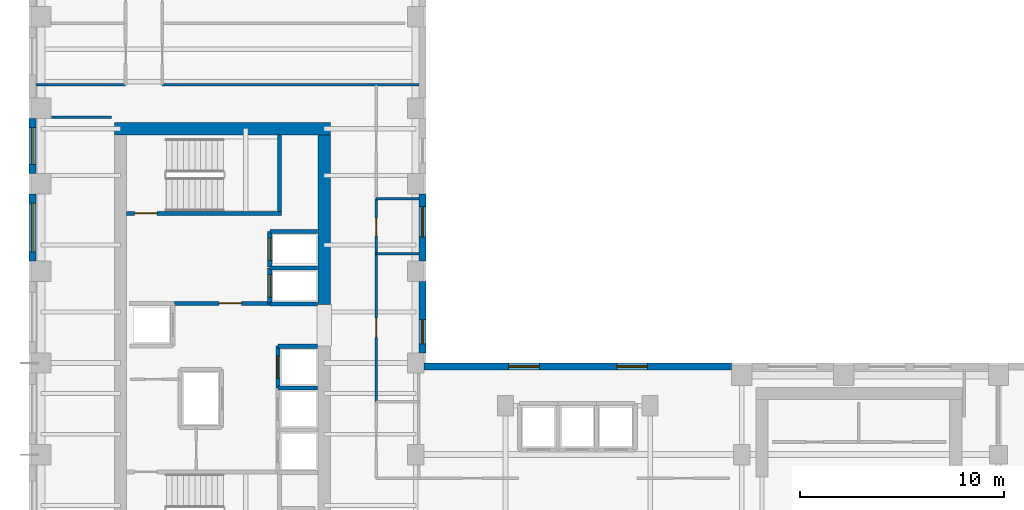
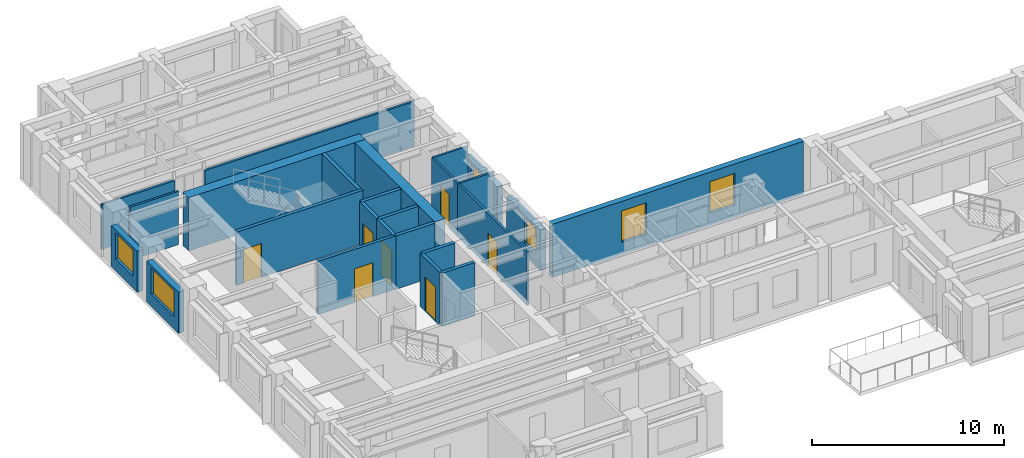
# One storey, part 5 of 11: 25 walls, 7 doors, 6 windows, 13 openings.
"""IFC4 building model written with IfcOpenShell, lengths in metres."""

from ifc_helpers import new_model, si_unit, direction, frame, frame_2d, origin, place, context, subcontext, project, spatial, rectangle, extrude, source, transform, mapped, material, layer, layer_set, type_object, element, fill, save


model = new_model("IFC4")

# Units and contexts
model_context = context("Model", 3, precision=1e-05, world=origin(), true_north=direction((0.0, 1.0)))
body_context = subcontext(model_context, "Body", "Model", "MODEL_VIEW")
ifc_project = project(units=[si_unit("LENGTHUNIT", "METRE"), si_unit("AREAUNIT", "SQUARE_METRE"), si_unit("VOLUMEUNIT", "CUBIC_METRE"), si_unit("PLANEANGLEUNIT", "RADIAN"), si_unit("MASSUNIT", "GRAM", prefix="KILO")], contexts=[model_context])

# Site, building, storey
site_placement = place(None, origin())
site = spatial("IfcSite", under=ifc_project, at=site_placement, CompositionType="ELEMENT")
building_placement = place(site_placement, origin())
building = spatial("IfcBuilding", under=site, at=building_placement, Name="Kharzan Plaza Tower", CompositionType="ELEMENT")
storey_placement = place(building_placement, frame((0.0, 0.0, 193.5)))
storey = spatial("IfcBuildingStorey", under=building, at=storey_placement, Name="L52", CompositionType="ELEMENT", Elevation=193.5)

# Wall, opening, window
ifc_material_1 = material(Name="Concrete C40/50", Category="concrete")
ifc_layer_1 = layer(ifc_material_1, 0.35009765625)
ifc_layer_set_1 = layer_set([ifc_layer_1], Name="Concrete C40/50")
wall_type_1 = type_object("IfcWallType", Name="WL-EXT-MAS-Z3", PredefinedType="SOLIDWALL", material=ifc_layer_set_1)
wall_1_placement = place(storey_placement, frame((0.175048828125, 30.001953125, 0.0), z_axis=(0.0, 0.0, 1.0), x_axis=(0.0, -1.0, 0.0)))
wall_1 = element("IfcWall", 1, at=wall_1_placement, inside=storey, type_object=wall_type_1, Name="L52 Masonry-Frame Exterior Wall 12", PredefinedType="SOLIDWALL", context=body_context, shape_type="SweptSolid", body=[
    extrude(rectangle(XDim=2.703857421875, YDim=0.35009765625, at=frame_2d((1.35205078125, 0.0))), origin(), (0.0, 0.0, 1.0), 2.612060546875),
])
opening_1_placement = place(wall_1_placement, frame((0.451904296875, 0.0, 0.780029296875)))
opening_1 = element("IfcOpeningElement", 2, at=opening_1_placement, cuts=wall_1, Name="Opening W1", PredefinedType="OPENING", context=body_context, shape_type="SweptSolid", body=[
    extrude(rectangle(XDim=1.800048828125, YDim=1.652099609375, at=frame_2d((0.89990234375, 0.826171875))), frame((0.0, 0.18505859375, 0.0), z_axis=(0.0, -1.0, 0.0), x_axis=(1.0, 0.0, 0.0)), (0.0, 0.0, 1.0), 0.3701171875),
])
ifc_material_2 = material(Name="Low-E Double Glazing", Category="glass")
window_type_1 = type_object("IfcWindowType", Name="WN-REC-1800x2100", PartitioningType="SINGLE_PANEL", PredefinedType="WINDOW", material=ifc_material_2)
shared_shape_1 = source(origin(), body_context, "Body", "SweptSolid", [
    extrude(rectangle(XDim=1.800048828125, YDim=1.652099609375, at=frame_2d((0.89990234375, 0.826171875))), frame((0.0, 0.030029296875, 0.0), z_axis=(0.0, -1.0, 0.0), x_axis=(1.0, 0.0, 0.0)), (0.0, 0.0, 1.0), 0.06005859375),
])
window_1_placement = place(opening_1_placement, origin())
window_1 = element("IfcWindow", 3, at=window_1_placement, inside=storey, type_object=window_type_1, Name="L52 Recessed Solar-Control Window 12-1", OverallHeight=1.652099609375, OverallWidth=1.800048828125, PartitioningType="SINGLE_PANEL", PredefinedType="WINDOW", context=body_context, shape_type="MappedRepresentation", body=[
    mapped(shared_shape_1, transform((0.0, 0.0, 0.0), x_axis=(1.0, 0.0, 0.0), y_axis=(0.0, 1.0, 0.0), z_axis=(0.0, 0.0, 1.0))),
])
fill(opening_1, window_1)

wall_2_placement = place(storey_placement, frame((0.175048828125, 26.302001953125, 0.0), z_axis=(0.0, 0.0, 1.0), x_axis=(0.0, -1.0, 0.0)))
wall_2 = element("IfcWall", 4, at=wall_2_placement, inside=storey, type_object=wall_type_1, Name="L52 Masonry-Frame Exterior Wall 13", PredefinedType="SOLIDWALL", context=body_context, shape_type="SweptSolid", body=[
    extrude(rectangle(XDim=3.303955078125, YDim=0.35009765625, at=frame_2d((1.65185546875, 0.0))), origin(), (0.0, 0.0, 1.0), 2.612060546875),
])
opening_2_placement = place(wall_2_placement, frame((0.451904296875, 0.0, 0.780029296875)))
opening_2 = element("IfcOpeningElement", 5, at=opening_2_placement, cuts=wall_2, Name="Opening W2", PredefinedType="OPENING", context=body_context, shape_type="SweptSolid", body=[
    extrude(rectangle(XDim=2.39990234375, YDim=1.652099609375, at=frame_2d((1.199951171875, 0.826171875))), frame((0.0, 0.18505859375, 0.0), z_axis=(0.0, -1.0, 0.0), x_axis=(1.0, 0.0, 0.0)), (0.0, 0.0, 1.0), 0.3701171875),
])
window_type_2 = type_object("IfcWindowType", Name="WN-REC-2400x2100", PartitioningType="SINGLE_PANEL", PredefinedType="WINDOW", material=ifc_material_2)
shared_shape_2 = source(origin(), body_context, "Body", "SweptSolid", [
    extrude(rectangle(XDim=2.39990234375, YDim=1.652099609375, at=frame_2d((1.199951171875, 0.826171875))), frame((0.0, 0.030029296875, 0.0), z_axis=(0.0, -1.0, 0.0), x_axis=(1.0, 0.0, 0.0)), (0.0, 0.0, 1.0), 0.06005859375),
])
window_2_placement = place(opening_2_placement, origin())
window_2 = element("IfcWindow", 6, at=window_2_placement, inside=storey, type_object=window_type_2, Name="L52 Wide Recessed Solar-Control Window 13-1", OverallHeight=1.652099609375, OverallWidth=2.39990234375, PartitioningType="SINGLE_PANEL", PredefinedType="WINDOW", context=body_context, shape_type="MappedRepresentation", body=[
    mapped(shared_shape_2, transform((0.0, 0.0, 0.0), x_axis=(1.0, 0.0, 0.0), y_axis=(0.0, 1.0, 0.0), z_axis=(0.0, 0.0, 1.0))),
])
fill(opening_2, window_2)

# Wall, openings, windows
wall_3_placement = place(storey_placement, frame((34.501953125, 17.824951171875, 0.0), z_axis=(0.0, 0.0, 1.0), x_axis=(-1.0, 0.0, 0.0)))
wall_3 = element("IfcWall", 7, at=wall_3_placement, inside=storey, type_object=wall_type_1, Name="L52 Masonry-Frame Exterior Wall 46", PredefinedType="SOLIDWALL", context=body_context, shape_type="SweptSolid", body=[
    extrude(rectangle(XDim=15.10400390625, YDim=0.35009765625, at=frame_2d((7.552001953125, 0.0))), origin(), (0.0, 0.0, 1.0), 3.385009765625),
])
opening_3_placement = place(wall_3_placement, frame((4.131103515625, 0.0, 0.780029296875)))
opening_3 = element("IfcOpeningElement", 8, at=opening_3_placement, cuts=wall_3, Name="Opening W5", PredefinedType="OPENING", context=body_context, shape_type="SweptSolid", body=[
    extrude(rectangle(XDim=1.5, YDim=2.0, at=frame_2d((0.75, 1.0))), frame((0.0, 0.18505859375, 0.0), z_axis=(0.0, -1.0, 0.0), x_axis=(1.0, 0.0, 0.0)), (0.0, 0.0, 1.0), 0.3701171875),
])
opening_4_placement = place(wall_3_placement, frame((9.4423828125, 0.0, 0.780029296875)))
opening_4 = element("IfcOpeningElement", 9, at=opening_4_placement, cuts=wall_3, Name="Opening W5", PredefinedType="OPENING", context=body_context, shape_type="SweptSolid", body=[
    extrude(rectangle(XDim=1.5, YDim=2.0, at=frame_2d((0.75, 1.0))), frame((0.0, 0.18505859375, 0.0), z_axis=(0.0, -1.0, 0.0), x_axis=(1.0, 0.0, 0.0)), (0.0, 0.0, 1.0), 0.3701171875),
])
window_type_3 = type_object("IfcWindowType", Name="WN-SLT-1500x2000", PartitioningType="SINGLE_PANEL", PredefinedType="WINDOW", material=ifc_material_2)
shared_shape_3 = source(origin(), body_context, "Body", "SweptSolid", [
    extrude(rectangle(XDim=1.5, YDim=2.0, at=frame_2d((0.75, 1.0))), frame((0.0, 0.030029296875, 0.0), z_axis=(0.0, -1.0, 0.0), x_axis=(1.0, 0.0, 0.0)), (0.0, 0.0, 1.0), 0.06005859375),
])
window_3_placement = place(opening_3_placement, origin())
window_3 = element("IfcWindow", 10, at=window_3_placement, inside=storey, type_object=window_type_3, Name="L52 Recessed Solar-Control Window 46-1", OverallHeight=2.0, OverallWidth=1.5, PartitioningType="SINGLE_PANEL", PredefinedType="WINDOW", context=body_context, shape_type="MappedRepresentation", body=[
    mapped(shared_shape_3, transform((0.0, 0.0, 0.0), x_axis=(1.0, 0.0, 0.0), y_axis=(0.0, 1.0, 0.0), z_axis=(0.0, 0.0, 1.0))),
])
fill(opening_3, window_3)
window_4_placement = place(opening_4_placement, origin())
window_4 = element("IfcWindow", 11, at=window_4_placement, inside=storey, type_object=window_type_3, Name="L52 Recessed Solar-Control Window 46-2", OverallHeight=2.0, OverallWidth=1.5, PartitioningType="SINGLE_PANEL", PredefinedType="WINDOW", context=body_context, shape_type="MappedRepresentation", body=[
    mapped(shared_shape_3, transform((0.0, 0.0, 0.0), x_axis=(1.0, 0.0, 0.0), y_axis=(0.0, 1.0, 0.0), z_axis=(0.0, 0.0, 1.0))),
])
fill(opening_4, window_4)

# Wall, opening, window
wall_4_placement = place(storey_placement, frame((19.324951171875, 18.498046875, 0.0), z_axis=(0.0, 0.0, 1.0), x_axis=(0.0, 1.0, 0.0)))
wall_4 = element("IfcWall", 12, at=wall_4_placement, inside=storey, type_object=wall_type_1, Name="L52 Masonry-Frame Exterior Wall 47", PredefinedType="SOLIDWALL", context=body_context, shape_type="SweptSolid", body=[
    extrude(rectangle(XDim=3.50390625, YDim=0.35009765625, at=frame_2d((1.751953125, 0.0))), origin(), (0.0, 0.0, 1.0), 2.612060546875),
])
opening_5_placement = place(wall_4_placement, frame((0.4326171875, 0.0, 0.780029296875)))
opening_5 = element("IfcOpeningElement", 13, at=opening_5_placement, cuts=wall_4, Name="Opening W3", PredefinedType="OPENING", context=body_context, shape_type="SweptSolid", body=[
    extrude(rectangle(XDim=1.199951171875, YDim=1.652099609375, at=frame_2d((0.60009765625, 0.826171875))), frame((0.0, 0.18505859375, 0.0), z_axis=(0.0, -1.0, 0.0), x_axis=(1.0, 0.0, 0.0)), (0.0, 0.0, 1.0), 0.3701171875),
])
window_type_4 = type_object("IfcWindowType", Name="WN-REC-1200x2100", PartitioningType="SINGLE_PANEL", PredefinedType="WINDOW", material=ifc_material_2)
shared_shape_4 = source(origin(), body_context, "Body", "SweptSolid", [
    extrude(rectangle(XDim=1.199951171875, YDim=1.652099609375, at=frame_2d((0.60009765625, 0.826171875))), frame((0.0, 0.030029296875, 0.0), z_axis=(0.0, -1.0, 0.0), x_axis=(1.0, 0.0, 0.0)), (0.0, 0.0, 1.0), 0.06005859375),
])
window_5_placement = place(opening_5_placement, origin())
window_5 = element("IfcWindow", 14, at=window_5_placement, inside=storey, type_object=window_type_4, Name="L52 Recessed Solar-Control Window 47-1", OverallHeight=1.652099609375, OverallWidth=1.199951171875, PartitioningType="SINGLE_PANEL", PredefinedType="WINDOW", context=body_context, shape_type="MappedRepresentation", body=[
    mapped(shared_shape_4, transform((0.0, 0.0, 0.0), x_axis=(1.0, 0.0, 0.0), y_axis=(0.0, 1.0, 0.0), z_axis=(0.0, 0.0, 1.0))),
])
fill(opening_5, window_5)

wall_5_placement = place(storey_placement, frame((19.324951171875, 22.998046875, 0.0), z_axis=(0.0, 0.0, 1.0), x_axis=(0.0, 1.0, 0.0)))
wall_5 = element("IfcWall", 15, at=wall_5_placement, inside=storey, type_object=wall_type_1, Name="L52 Masonry-Frame Exterior Wall 48", PredefinedType="SOLIDWALL", context=body_context, shape_type="SweptSolid", body=[
    extrude(rectangle(XDim=3.303955078125, YDim=0.35009765625, at=frame_2d((1.65185546875, 0.0))), origin(), (0.0, 0.0, 1.0), 2.612060546875),
])
opening_6_placement = place(wall_5_placement, frame((1.180419921875, 0.0, 0.780029296875)))
opening_6 = element("IfcOpeningElement", 16, at=opening_6_placement, cuts=wall_5, Name="Opening W5", PredefinedType="OPENING", context=body_context, shape_type="SweptSolid", body=[
    extrude(rectangle(XDim=1.5, YDim=1.652099609375, at=frame_2d((0.75, 0.826171875))), frame((0.0, 0.18505859375, 0.0), z_axis=(0.0, -1.0, 0.0), x_axis=(1.0, 0.0, 0.0)), (0.0, 0.0, 1.0), 0.3701171875),
])
shared_shape_5 = source(origin(), body_context, "Body", "SweptSolid", [
    extrude(rectangle(XDim=1.5, YDim=1.652099609375, at=frame_2d((0.75, 0.826171875))), frame((0.0, 0.030029296875, 0.0), z_axis=(0.0, -1.0, 0.0), x_axis=(1.0, 0.0, 0.0)), (0.0, 0.0, 1.0), 0.06005859375),
])
window_6_placement = place(opening_6_placement, origin())
window_6 = element("IfcWindow", 17, at=window_6_placement, inside=storey, type_object=window_type_3, Name="L52 Recessed Solar-Control Window 48-1", OverallHeight=1.652099609375, OverallWidth=1.5, PartitioningType="SINGLE_PANEL", PredefinedType="WINDOW", context=body_context, shape_type="MappedRepresentation", body=[
    mapped(shared_shape_5, transform((0.0, 0.0, 0.0), x_axis=(1.0, 0.0, 0.0), y_axis=(0.0, 1.0, 0.0), z_axis=(0.0, 0.0, 1.0))),
])
fill(opening_6, window_6)

# Wall, opening, door
ifc_layer_2 = layer(ifc_material_1, 0.179931640625)
ifc_layer_set_2 = layer_set([ifc_layer_2], Name="Concrete C40/50")
wall_type_2 = type_object("IfcWallType", Name="WL-INT-FIRE-180", PredefinedType="PARTITIONING", material=ifc_layer_set_2)
wall_6_placement = place(storey_placement, frame((7.14990234375, 20.919921875, 0.0), z_axis=(0.0, 0.0, 1.0), x_axis=(1.0, 0.0, 0.0)))
wall_6 = element("IfcWall", 18, at=wall_6_placement, inside=storey, type_object=wall_type_2, Name="L52 Interior Partition CA-FF-S", PredefinedType="PARTITIONING", context=body_context, shape_type="SweptSolid", body=[
    extrude(rectangle(XDim=4.68017578125, YDim=0.179931640625, at=frame_2d((2.340087890625, 0.0))), origin(), (0.0, 0.0, 1.0), 3.385009765625),
])
opening_7_placement = place(wall_6_placement, frame((2.199951171875, 0.0, 0.0)))
opening_7 = element("IfcOpeningElement", 19, at=opening_7_placement, cuts=wall_6, Name="Opening FD1", PredefinedType="OPENING", context=body_context, shape_type="SweptSolid", body=[
    extrude(rectangle(XDim=1.10009765625, YDim=2.14990234375, at=frame_2d((0.550048828125, 1.074951171875))), frame((0.0, 0.099853515625, 0.0), z_axis=(0.0, -1.0, 0.0), x_axis=(1.0, 0.0, 0.0)), (0.0, 0.0, 1.0), 0.199951171875),
])
ifc_material_3 = material(Name="Fire-Rated Acoustic Vision-Panel Steel", Category="steel")
door_type_1 = type_object("IfcDoorType", Name="DR-FIRE-LOBBY", OperationType="NOTDEFINED", PredefinedType="DOOR", material=ifc_material_3)
shared_shape_6 = source(origin(), body_context, "Body", "SweptSolid", [
    extrude(rectangle(XDim=1.10009765625, YDim=2.14990234375, at=frame_2d((0.550048828125, 1.074951171875))), frame((0.0, 0.02490234375, 0.0), z_axis=(0.0, -1.0, 0.0), x_axis=(1.0, 0.0, 0.0)), (0.0, 0.0, 1.0), 0.050048828125),
])
door_1_placement = place(opening_7_placement, origin())
door_1 = element("IfcDoor", 20, at=door_1_placement, inside=storey, type_object=door_type_1, Name="L52 Firefighting Lobby Door", OperationType="SINGLE_SWING_RIGHT", OverallHeight=2.14990234375, OverallWidth=1.10009765625, PredefinedType="DOOR", context=body_context, shape_type="MappedRepresentation", body=[
    mapped(shared_shape_6, transform((0.0, 0.0, 0.0), x_axis=(1.0, 0.0, 0.0), y_axis=(0.0, 1.0, 0.0), z_axis=(0.0, 0.0, 1.0))),
])
fill(opening_7, door_1)

ifc_material_4 = material(Name="Fire-Rated Gypsum Board Partition", Category="gypsum")
ifc_layer_3 = layer(ifc_material_4, 0.125)
ifc_layer_set_3 = layer_set([ifc_layer_3], Name="Fire-Rated Gypsum Board Partition")
wall_type_3 = type_object("IfcWallType", Name="WL-INT-PART-125", PredefinedType="PARTITIONING", material=ifc_layer_set_3)
wall_7_placement = place(storey_placement, frame((17.050048828125, 16.10009765625, 0.0), z_axis=(0.0, 0.0, 1.0), x_axis=(0.0, 1.0, 0.0)))
wall_7 = element("IfcWall", 21, at=wall_7_placement, inside=storey, type_object=wall_type_3, Name="L52 Interior Partition SH-AEWN2", PredefinedType="PARTITIONING", context=body_context, shape_type="SweptSolid", body=[
    extrude(rectangle(XDim=7.25, YDim=0.125, at=frame_2d((3.625, 0.0))), origin(), (0.0, 0.0, 1.0), 3.385009765625),
])
opening_8_placement = place(wall_7_placement, frame((3.14990234375, 0.0, 0.0)))
opening_8 = element("IfcOpeningElement", 22, at=opening_8_placement, cuts=wall_7, Name="Opening OD1", PredefinedType="OPENING", context=body_context, shape_type="SweptSolid", body=[
    extrude(rectangle(XDim=0.949951171875, YDim=2.14990234375, at=frame_2d((0.47509765625, 1.074951171875))), frame((0.0, 0.072509765625, 0.0), z_axis=(0.0, -1.0, 0.0), x_axis=(1.0, 0.0, 0.0)), (0.0, 0.0, 1.0), 0.14501953125),
])
ifc_material_5 = material(Name="Acoustic Solid-Core Stained Oak", Category="timber")
door_type_2 = type_object("IfcDoorType", Name="DR-OFF-SINGLE", OperationType="NOTDEFINED", PredefinedType="DOOR", material=ifc_material_5)
shared_shape_7 = source(origin(), body_context, "Body", "SweptSolid", [
    extrude(rectangle(XDim=0.949951171875, YDim=2.14990234375, at=frame_2d((0.47509765625, 1.074951171875))), frame((0.0, 0.02490234375, 0.0), z_axis=(0.0, -1.0, 0.0), x_axis=(1.0, 0.0, 0.0)), (0.0, 0.0, 1.0), 0.050048828125),
])
door_2_placement = place(opening_8_placement, origin())
door_2 = element("IfcDoor", 23, at=door_2_placement, inside=storey, type_object=door_type_2, Name="L52 Slot Studio Door", OperationType="SINGLE_SWING_LEFT", OverallHeight=2.14990234375, OverallWidth=0.949951171875, PredefinedType="DOOR", context=body_context, shape_type="MappedRepresentation", body=[
    mapped(shared_shape_7, transform((0.0, 0.0, 0.0), x_axis=(1.0, 0.0, 0.0), y_axis=(0.0, 1.0, 0.0), z_axis=(0.0, 0.0, 1.0))),
])
fill(opening_8, door_2)

wall_8_placement = place(storey_placement, frame((17.050048828125, 23.35009765625, 0.0), z_axis=(0.0, 0.0, 1.0), x_axis=(0.0, 1.0, 0.0)))
wall_8 = element("IfcWall", 24, at=wall_8_placement, inside=storey, type_object=wall_type_3, Name="L52 Interior Partition SH-AEWW", PredefinedType="PARTITIONING", context=body_context, shape_type="SweptSolid", body=[
    extrude(rectangle(XDim=2.699951171875, YDim=0.125, at=frame_2d((1.35009765625, 0.0))), origin(), (0.0, 0.0, 1.0), 3.385009765625),
])
opening_9_placement = place(wall_8_placement, frame((0.875, 0.0, 0.0)))
opening_9 = element("IfcOpeningElement", 25, at=opening_9_placement, cuts=wall_8, Name="Opening WD1", PredefinedType="OPENING", context=body_context, shape_type="SweptSolid", body=[
    extrude(rectangle(XDim=0.89990234375, YDim=2.14990234375, at=frame_2d((0.449951171875, 1.074951171875))), frame((0.0, 0.072509765625, 0.0), z_axis=(0.0, -1.0, 0.0), x_axis=(1.0, 0.0, 0.0)), (0.0, 0.0, 1.0), 0.14501953125),
])
ifc_material_6 = material(Name="Moisture-Resistant Fire-Rated Laminate", Category="timber")
door_type_3 = type_object("IfcDoorType", Name="DR-WC-900", OperationType="NOTDEFINED", PredefinedType="DOOR", material=ifc_material_6)
shared_shape_8 = source(origin(), body_context, "Body", "SweptSolid", [
    extrude(rectangle(XDim=0.89990234375, YDim=2.14990234375, at=frame_2d((0.449951171875, 1.074951171875))), frame((0.0, 0.02490234375, 0.0), z_axis=(0.0, -1.0, 0.0), x_axis=(1.0, 0.0, 0.0)), (0.0, 0.0, 1.0), 0.050048828125),
])
door_3_placement = place(opening_9_placement, origin())
door_3 = element("IfcDoor", 26, at=door_3_placement, inside=storey, type_object=door_type_3, Name="L52 Wing A Washroom Door", OperationType="SINGLE_SWING_RIGHT", OverallHeight=2.14990234375, OverallWidth=0.89990234375, PredefinedType="DOOR", context=body_context, shape_type="MappedRepresentation", body=[
    mapped(shared_shape_8, transform((0.0, 0.0, 0.0), x_axis=(1.0, 0.0, 0.0), y_axis=(0.0, 1.0, 0.0), z_axis=(0.0, 0.0, 1.0))),
])
fill(opening_9, door_3)

ifc_layer_4 = layer(ifc_material_1, 0.199951171875)
ifc_layer_set_4 = layer_set([ifc_layer_4], Name="Concrete C40/50")
wall_type_4 = type_object("IfcWallType", Name="WL-INT-SHAFT-200", PredefinedType="PARTITIONING", material=ifc_layer_set_4)
wall_9_placement = place(storey_placement, frame((11.830078125, 20.89990234375, 0.0), z_axis=(0.0, 0.0, 1.0), x_axis=(0.0, 1.0, 0.0)))
wall_9 = element("IfcWall", 27, at=wall_9_placement, inside=storey, type_object=wall_type_4, Name="L52 Interior Partition SHF-FFL-1-W", PredefinedType="PARTITIONING", context=body_context, shape_type="SweptSolid", body=[
    extrude(rectangle(XDim=1.760009765625, YDim=0.199951171875, at=frame_2d((0.8798828125, 0.0))), origin(), (0.0, 0.0, 1.0), 3.385009765625),
])
opening_10_placement = place(wall_9_placement, frame((0.330078125, 0.0, 0.0)))
opening_10 = element("IfcOpeningElement", 28, at=opening_10_placement, cuts=wall_9, Name="Opening LD", PredefinedType="OPENING", context=body_context, shape_type="SweptSolid", body=[
    extrude(rectangle(XDim=1.10009765625, YDim=2.199951171875, at=frame_2d((0.550048828125, 1.10009765625))), frame((0.0, 0.10986328125, 0.0), z_axis=(0.0, -1.0, 0.0), x_axis=(1.0, 0.0, 0.0)), (0.0, 0.0, 1.0), 0.219970703125),
])
ifc_material_7 = material(Name="Brushed Stainless Steel", Category="steel")
door_type_4 = type_object("IfcDoorType", Name="DR-LIFT-SLIDE", OperationType="SLIDING_TO_LEFT", PredefinedType="DOOR", material=ifc_material_7)
shared_shape_9 = source(origin(), body_context, "Body", "SweptSolid", [
    extrude(rectangle(XDim=1.10009765625, YDim=2.199951171875, at=frame_2d((0.550048828125, 1.10009765625))), frame((0.0, 0.02490234375, 0.0), z_axis=(0.0, -1.0, 0.0), x_axis=(1.0, 0.0, 0.0)), (0.0, 0.0, 1.0), 0.050048828125),
])
door_4_placement = place(opening_10_placement, origin())
door_4 = element("IfcDoor", 29, at=door_4_placement, inside=storey, type_object=door_type_4, Name="L52 Firefighting Lift FFL-1 Sliding Landing Door", OperationType="SLIDING_TO_LEFT", OverallHeight=2.199951171875, OverallWidth=1.10009765625, PredefinedType="DOOR", context=body_context, shape_type="MappedRepresentation", body=[
    mapped(shared_shape_9, transform((0.0, 0.0, 0.0), x_axis=(1.0, 0.0, 0.0), y_axis=(0.0, 1.0, 0.0), z_axis=(0.0, 0.0, 1.0))),
])
fill(opening_10, door_4)

wall_10_placement = place(storey_placement, frame((11.830078125, 22.699951171875, 0.0), z_axis=(0.0, 0.0, 1.0), x_axis=(0.0, 1.0, 0.0)))
wall_10 = element("IfcWall", 30, at=wall_10_placement, inside=storey, type_object=wall_type_4, Name="L52 Interior Partition SHF-FFL-2-W", PredefinedType="PARTITIONING", context=body_context, shape_type="SweptSolid", body=[
    extrude(rectangle(XDim=1.760009765625, YDim=0.199951171875, at=frame_2d((0.8798828125, 0.0))), origin(), (0.0, 0.0, 1.0), 3.385009765625),
])
opening_11_placement = place(wall_10_placement, frame((0.330078125, 0.0, 0.0)))
opening_11 = element("IfcOpeningElement", 31, at=opening_11_placement, cuts=wall_10, Name="Opening LD", PredefinedType="OPENING", context=body_context, shape_type="SweptSolid", body=[
    extrude(rectangle(XDim=1.10009765625, YDim=2.199951171875, at=frame_2d((0.550048828125, 1.10009765625))), frame((0.0, 0.10986328125, 0.0), z_axis=(0.0, -1.0, 0.0), x_axis=(1.0, 0.0, 0.0)), (0.0, 0.0, 1.0), 0.219970703125),
])
door_5_placement = place(opening_11_placement, origin())
door_5 = element("IfcDoor", 32, at=door_5_placement, inside=storey, type_object=door_type_4, Name="L52 Firefighting Lift FFL-2 Sliding Landing Door", OperationType="SLIDING_TO_LEFT", OverallHeight=2.199951171875, OverallWidth=1.10009765625, PredefinedType="DOOR", context=body_context, shape_type="MappedRepresentation", body=[
    mapped(shared_shape_9, transform((0.0, 0.0, 0.0), x_axis=(1.0, 0.0, 0.0), y_axis=(0.0, 1.0, 0.0), z_axis=(0.0, 0.0, 1.0))),
])
fill(opening_11, door_5)

wall_11_placement = place(storey_placement, frame((12.22998046875, 16.77001953125, 0.0), z_axis=(0.0, 0.0, 1.0), x_axis=(0.0, 1.0, 0.0)))
wall_11 = element("IfcWall", 33, at=wall_11_placement, inside=storey, type_object=wall_type_4, Name="L52 Interior Partition SHF-PL-H3-W", PredefinedType="PARTITIONING", context=body_context, shape_type="SweptSolid", body=[
    extrude(rectangle(XDim=2.050048828125, YDim=0.199951171875, at=frame_2d((1.02490234375, 0.0))), origin(), (0.0, 0.0, 1.0), 3.385009765625),
])
opening_12_placement = place(wall_11_placement, frame((0.47509765625, 0.0, 0.0)))
opening_12 = element("IfcOpeningElement", 34, at=opening_12_placement, cuts=wall_11, Name="Opening LD", PredefinedType="OPENING", context=body_context, shape_type="SweptSolid", body=[
    extrude(rectangle(XDim=1.10009765625, YDim=2.199951171875, at=frame_2d((0.550048828125, 1.10009765625))), frame((0.0, 0.10986328125, 0.0), z_axis=(0.0, -1.0, 0.0), x_axis=(1.0, 0.0, 0.0)), (0.0, 0.0, 1.0), 0.219970703125),
])
door_6_placement = place(opening_12_placement, origin())
door_6 = element("IfcDoor", 35, at=door_6_placement, inside=storey, type_object=door_type_4, Name="L52 High-Rise Passenger Lift PL-H3 Sliding Landing Door", OperationType="SLIDING_TO_LEFT", OverallHeight=2.199951171875, OverallWidth=1.10009765625, PredefinedType="DOOR", context=body_context, shape_type="MappedRepresentation", body=[
    mapped(shared_shape_9, transform((0.0, 0.0, 0.0), x_axis=(1.0, 0.0, 0.0), y_axis=(0.0, 1.0, 0.0), z_axis=(0.0, 0.0, 1.0))),
])
fill(opening_12, door_6)

ifc_material_8 = material(Name="Concrete C50/60", Category="concrete")
ifc_layer_5 = layer(ifc_material_8, 0.199951171875)
ifc_layer_set_5 = layer_set([ifc_layer_5], Name="Concrete C50/60")
wall_type_5 = type_object("IfcWallType", Name="WL-SHAFT-RC200", PredefinedType="SHEAR", material=ifc_layer_set_5)
wall_12_placement = place(storey_placement, frame((4.802001953125, 25.344970703125, 0.0), z_axis=(0.0, 0.0, 1.0), x_axis=(1.0, 0.0, 0.0)))
wall_12 = element("IfcWall", 36, at=wall_12_placement, inside=storey, type_object=wall_type_5, Name="L52 Stair ST-2 South RC Shaft Wall", PredefinedType="SHEAR", context=body_context, shape_type="SweptSolid", body=[
    extrude(rectangle(XDim=7.60302734375, YDim=0.199951171875, at=frame_2d((3.801513671875, 0.0))), origin(), (0.0, 0.0, 1.0), 3.39990234375),
])
opening_13_placement = place(wall_12_placement, frame((0.39990234375, 0.0, 0.0)))
opening_13 = element("IfcOpeningElement", 37, at=opening_13_placement, cuts=wall_12, Name="Opening SD1", PredefinedType="OPENING", context=body_context, shape_type="SweptSolid", body=[
    extrude(rectangle(XDim=1.10009765625, YDim=2.14990234375, at=frame_2d((0.550048828125, 1.074951171875))), frame((0.0, 0.10986328125, 0.0), z_axis=(0.0, -1.0, 0.0), x_axis=(1.0, 0.0, 0.0)), (0.0, 0.0, 1.0), 0.219970703125),
])
ifc_material_9 = material(Name="Fire-Rated Hollow Galvanized Steel", Category="steel")
door_type_5 = type_object("IfcDoorType", Name="DR-STAIR-FD120", OperationType="NOTDEFINED", PredefinedType="DOOR", material=ifc_material_9)
shared_shape_10 = source(origin(), body_context, "Body", "SweptSolid", [
    extrude(rectangle(XDim=1.10009765625, YDim=2.14990234375, at=frame_2d((0.550048828125, 1.074951171875))), frame((0.0, 0.02490234375, 0.0), z_axis=(0.0, -1.0, 0.0), x_axis=(1.0, 0.0, 0.0)), (0.0, 0.0, 1.0), 0.050048828125),
])
door_7_placement = place(opening_13_placement, origin())
door_7 = element("IfcDoor", 38, at=door_7_placement, inside=storey, type_object=door_type_5, Name="L52 Stair ST-2 Fire Exit Door", OperationType="SINGLE_SWING_LEFT", OverallHeight=2.14990234375, OverallWidth=1.10009765625, PredefinedType="DOOR", context=body_context, shape_type="MappedRepresentation", body=[
    mapped(shared_shape_10, transform((0.0, 0.0, 0.0), x_axis=(1.0, 0.0, 0.0), y_axis=(0.0, 1.0, 0.0), z_axis=(0.0, 0.0, 1.0))),
])
fill(opening_13, door_7)

# Walls
ifc_layer_6 = layer(ifc_material_8, 0.60009765625)
ifc_layer_set_6 = layer_set([ifc_layer_6], Name="Concrete C50/60")
wall_type_6 = type_object("IfcWallType", Name="WL-CORE-600", PredefinedType="SHEAR", material=ifc_layer_set_6)
shared_shape_11 = source(origin(), body_context, "Body", "SweptSolid", [
    extrude(rectangle(XDim=8.320068359375, YDim=0.60009765625, at=frame_2d((4.16015625, 0.0))), origin(), (0.0, 0.0, 1.0), 3.39990234375),
])
wall_13_placement = place(storey_placement, frame((14.5, 20.8798828125, 0.0), z_axis=(0.0, 0.0, 1.0), x_axis=(0.0, 1.0, 0.0)))
element("IfcWall", 39, at=wall_13_placement, inside=storey, type_object=wall_type_6, Name="L52 CORE-A east shear pier 2", PredefinedType="SHEAR", context=body_context, shape_type="MappedRepresentation", body=[
    mapped(shared_shape_11, transform((0.0, 0.0, 0.0), x_axis=(1.0, 0.0, 0.0), y_axis=(0.0, 1.0, 0.0), z_axis=(0.0, 0.0, 1.0))),
])
shared_shape_12 = source(origin(), body_context, "Body", "SweptSolid", [
    extrude(rectangle(XDim=10.60009765625, YDim=0.60009765625, at=frame_2d((5.300048828125, 0.0))), origin(), (0.0, 0.0, 1.0), 3.39990234375),
])
wall_14_placement = place(storey_placement, frame((4.199951171875, 29.5, 0.0), z_axis=(0.0, 0.0, 1.0), x_axis=(1.0, 0.0, 0.0)))
element("IfcWall", 40, at=wall_14_placement, inside=storey, type_object=wall_type_6, Name="L52 CORE-A north RC shear wall", PredefinedType="SHEAR", context=body_context, shape_type="MappedRepresentation", body=[
    mapped(shared_shape_12, transform((0.0, 0.0, 0.0), x_axis=(1.0, 0.0, 0.0), y_axis=(0.0, 1.0, 0.0), z_axis=(0.0, 0.0, 1.0))),
])
shared_shape_13 = source(origin(), body_context, "Body", "SweptSolid", [
    extrude(rectangle(XDim=2.097900390625, YDim=0.125, at=frame_2d((1.048828125, 0.0))), origin(), (0.0, 0.0, 1.0), 3.385009765625),
])
for number, where, z_axis, x_axis, name in (
    (41, (17.050048828125, 23.35009765625, 0.0), (0.0, 0.0, 1.0), (1.0, 0.0, 0.0), "L52 Interior Partition SH-AEH-233"),
    (42, (17.050048828125, 26.050048828125, 0.0), (0.0, 0.0, 1.0), (1.0, 0.0, 0.0), "L52 Interior Partition SH-AEH-260"),
):
    element("IfcWall", number, at=place(storey_placement, frame(where, z_axis=z_axis, x_axis=x_axis)), inside=storey, type_object=wall_type_3, Name=name, PredefinedType="PARTITIONING", context=body_context, shape_type="MappedRepresentation", body=[
        mapped(shared_shape_13, transform((0.0, 0.0, 0.0), x_axis=(1.0, 0.0, 0.0), y_axis=(0.0, 1.0, 0.0), z_axis=(0.0, 0.0, 1.0))),
    ])
shared_shape_14 = source(origin(), body_context, "Body", "SweptSolid", [
    extrude(rectangle(XDim=12.597900390625, YDim=0.125, at=frame_2d((6.298828125, 0.0))), origin(), (0.0, 0.0, 1.0), 2.847900390625),
])
wall_15_placement = place(storey_placement, frame((6.550048828125, 31.64990234375, 0.0), z_axis=(0.0, 0.0, 1.0), x_axis=(1.0, 0.0, 0.0)))
element("IfcWall", 43, at=wall_15_placement, inside=storey, type_object=wall_type_3, Name="L52 Interior Partition SH-NNE", PredefinedType="PARTITIONING", context=body_context, shape_type="MappedRepresentation", body=[
    mapped(shared_shape_14, transform((0.0, 0.0, 0.0), x_axis=(1.0, 0.0, 0.0), y_axis=(0.0, 1.0, 0.0), z_axis=(0.0, 0.0, 1.0))),
])
shared_shape_15 = source(origin(), body_context, "Body", "SweptSolid", [
    extrude(rectangle(XDim=4.39794921875, YDim=0.125, at=frame_2d((2.198974609375, 0.0))), origin(), (0.0, 0.0, 1.0), 2.847900390625),
])
wall_16_placement = place(storey_placement, frame((0.35205078125, 31.64990234375, 0.0), z_axis=(0.0, 0.0, 1.0), x_axis=(1.0, 0.0, 0.0)))
element("IfcWall", 44, at=wall_16_placement, inside=storey, type_object=wall_type_3, Name="L52 Interior Partition SH-NNW", PredefinedType="PARTITIONING", context=body_context, shape_type="MappedRepresentation", body=[
    mapped(shared_shape_15, transform((0.0, 0.0, 0.0), x_axis=(1.0, 0.0, 0.0), y_axis=(0.0, 1.0, 0.0), z_axis=(0.0, 0.0, 1.0))),
])
shared_shape_16 = source(origin(), body_context, "Body", "SweptSolid", [
    extrude(rectangle(XDim=2.929931640625, YDim=0.125, at=frame_2d((1.46484375, 0.0))), origin(), (0.0, 0.0, 1.0), 3.385009765625),
])
wall_17_placement = place(storey_placement, frame((1.1201171875, 30.050048828125, 0.0), z_axis=(0.0, 0.0, 1.0), x_axis=(1.0, 0.0, 0.0)))
element("IfcWall", 45, at=wall_17_placement, inside=storey, type_object=wall_type_3, Name="L52 Interior Partition SH-RWN0", PredefinedType="PARTITIONING", context=body_context, shape_type="MappedRepresentation", body=[
    mapped(shared_shape_16, transform((0.0, 0.0, 0.0), x_axis=(1.0, 0.0, 0.0), y_axis=(0.0, 1.0, 0.0), z_axis=(0.0, 0.0, 1.0))),
])
shared_shape_17 = source(origin(), body_context, "Body", "SweptSolid", [
    extrude(rectangle(XDim=2.33984375, YDim=0.199951171875, at=frame_2d((1.169921875, 0.0))), origin(), (0.0, 0.0, 1.0), 3.385009765625),
])
for number, where, z_axis, x_axis, name in (
    (46, (11.830078125, 22.659912109375, 0.0), (0.0, 0.0, 1.0), (1.0, 0.0, 0.0), "L52 Interior Partition SHF-FFL-1-N"),
    (47, (11.830078125, 20.89990234375, 0.0), (0.0, 0.0, 1.0), (1.0, 0.0, 0.0), "L52 Interior Partition SHF-FFL-1-S"),
    (48, (11.830078125, 24.4599609375, 0.0), (0.0, 0.0, 1.0), (1.0, 0.0, 0.0), "L52 Interior Partition SHF-FFL-2-N"),
):
    element("IfcWall", number, at=place(storey_placement, frame(where, z_axis=z_axis, x_axis=x_axis)), inside=storey, type_object=wall_type_4, Name=name, PredefinedType="PARTITIONING", context=body_context, shape_type="MappedRepresentation", body=[
        mapped(shared_shape_17, transform((0.0, 0.0, 0.0), x_axis=(1.0, 0.0, 0.0), y_axis=(0.0, 1.0, 0.0), z_axis=(0.0, 0.0, 1.0))),
    ])
shared_shape_18 = source(origin(), body_context, "Body", "SweptSolid", [
    extrude(rectangle(XDim=1.93994140625, YDim=0.199951171875, at=frame_2d((0.969970703125, 0.0))), origin(), (0.0, 0.0, 1.0), 3.385009765625),
])
for number, where, z_axis, x_axis, name in (
    (49, (12.22998046875, 16.77001953125, 0.0), (0.0, 0.0, 1.0), (1.0, 0.0, 0.0), "L52 Interior Partition SHF-PL-H2-N"),
    (50, (12.22998046875, 18.820068359375, 0.0), (0.0, 0.0, 1.0), (1.0, 0.0, 0.0), "L52 Interior Partition SHF-PL-H3-N"),
):
    element("IfcWall", number, at=place(storey_placement, frame(where, z_axis=z_axis, x_axis=x_axis)), inside=storey, type_object=wall_type_4, Name=name, PredefinedType="PARTITIONING", context=body_context, shape_type="MappedRepresentation", body=[
        mapped(shared_shape_18, transform((0.0, 0.0, 0.0), x_axis=(1.0, 0.0, 0.0), y_axis=(0.0, 1.0, 0.0), z_axis=(0.0, 0.0, 1.0))),
    ])
shared_shape_19 = source(origin(), body_context, "Body", "SweptSolid", [
    extrude(rectangle(XDim=3.7529296875, YDim=0.199951171875, at=frame_2d((1.87646484375, 0.0))), origin(), (0.0, 0.0, 1.0), 3.39990234375),
])
wall_18_placement = place(storey_placement, frame((12.304931640625, 25.445068359375, 0.0), z_axis=(0.0, 0.0, 1.0), x_axis=(0.0, 1.0, 0.0)))
element("IfcWall", 51, at=wall_18_placement, inside=storey, type_object=wall_type_5, Name="L52 Stair ST-2 East RC Shaft Wall", PredefinedType="SHEAR", context=body_context, shape_type="MappedRepresentation", body=[
    mapped(shared_shape_19, transform((0.0, 0.0, 0.0), x_axis=(1.0, 0.0, 0.0), y_axis=(0.0, 1.0, 0.0), z_axis=(0.0, 0.0, 1.0))),
])

save(model, "model.ifc")
